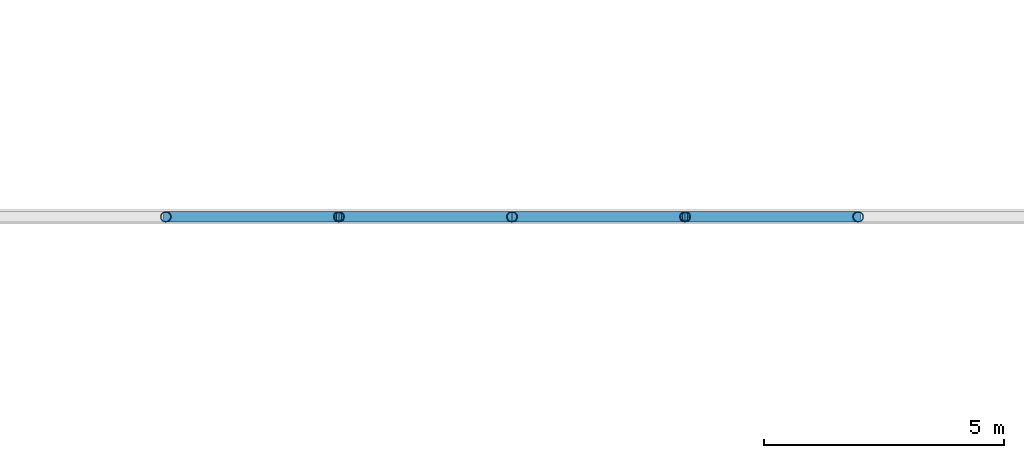
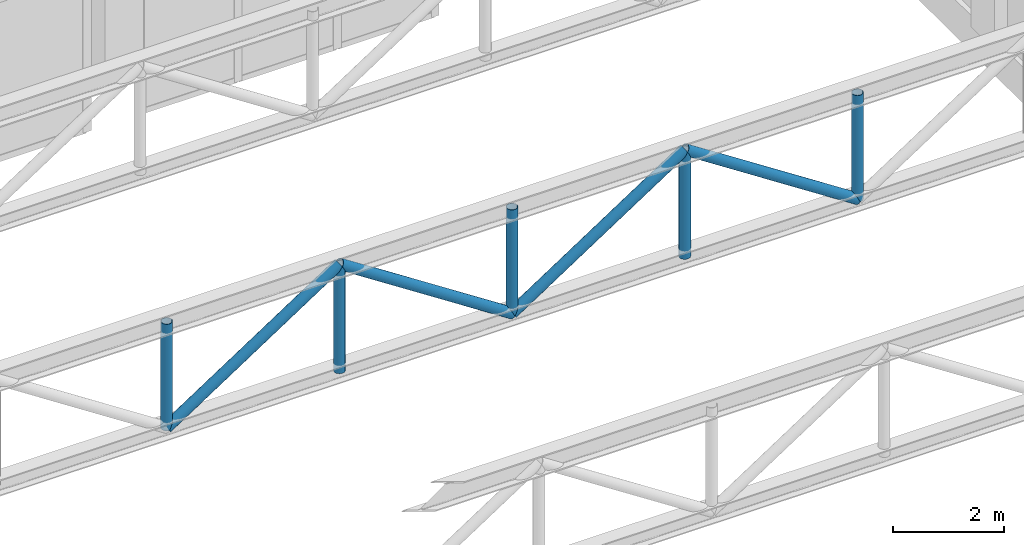
# One storey, part 97 of 153: 9 members.
"""IFC4 building model written with IfcOpenShell, lengths in metres."""

from ifc_helpers import new_model, si_unit, direction, frame, origin, origin_2d, place, context, subcontext, project, spatial, hollow_circle, extrude, material, material_profile, profile_set, type_object, element, save


model = new_model("IFC4")

# Units and contexts
model_context = context("Model", 3, precision=1e-05, world=origin(), true_north=direction((0.0, 1.0)))
body_context = subcontext(model_context, "Body", "Model", "MODEL_VIEW")
ifc_project = project(units=[si_unit("LENGTHUNIT", "METRE"), si_unit("AREAUNIT", "SQUARE_METRE"), si_unit("VOLUMEUNIT", "CUBIC_METRE"), si_unit("PLANEANGLEUNIT", "RADIAN"), si_unit("MASSUNIT", "GRAM", prefix="KILO")], contexts=[model_context])

# Site, building, storey
site_placement = place(None, origin())
site = spatial("IfcSite", under=ifc_project, at=site_placement, CompositionType="ELEMENT")
building_placement = place(site_placement, origin())
building = spatial("IfcBuilding", under=site, at=building_placement, Name="Qandorah Velis Arena", CompositionType="ELEMENT")
storey_placement = place(building_placement, frame((0.0, 0.0, 5.39990234375)))
storey = spatial("IfcBuildingStorey", under=building, at=storey_placement, Name="L01", CompositionType="ELEMENT", Elevation=5.39990234375)

# Members
ifc_material = material(Name="Steel S355", Category="steel")
ifc_material_profile = material_profile(ifc_material, hollow_circle(Radius=0.109619140625, WallThickness=0.010009765625, at=origin_2d()), Name="CHS 219.1x10")
ifc_profile_set = profile_set([ifc_material_profile], Name="Steel S355")
member_type = type_object("IfcMemberType", Name="STR-SFD-CHS219X10", PredefinedType="STRUT", material=ifc_profile_set)
member_1_placement = place(storey_placement, frame((144.0, 108.0, 3.205078125), z_axis=(0.0, 0.0, 1.0), x_axis=(1.0, 0.0, 0.0)))
element("IfcMember", 1, at=member_1_placement, inside=storey, type_object=member_type, Name="Practice court roof truss 3 vertical 7", PredefinedType="STRUT", context=body_context, shape_type="SweptSolid", body=[
    extrude(hollow_circle(Radius=0.109619140625, WallThickness=0.010009765625, at=origin_2d()), origin(), (0.0, 0.0, 1.0), 2.35009765625),
])
member_2_placement = place(storey_placement, frame((144.0, 108.0, 3.205078125), z_axis=(0.837375540217, 0.0, 0.546628031339), x_axis=(0.0, 1.0, 0.0)))
element("IfcMember", 2, at=member_2_placement, inside=storey, type_object=member_type, Name="Practice court roof truss 3 web diagonal 7", PredefinedType="STRUT", context=body_context, shape_type="SweptSolid", body=[
    extrude(hollow_circle(Radius=0.109619140625, WallThickness=0.010009765625, at=origin_2d()), origin(), (0.0, 0.0, 1.0), 4.29931640625),
])
member_3_placement = place(storey_placement, frame((147.60009765625, 108.0, 3.205078125), z_axis=(0.0, 0.0, 1.0), x_axis=(1.0, 0.0, 0.0)))
element("IfcMember", 3, at=member_3_placement, inside=storey, type_object=member_type, Name="Practice court roof truss 3 vertical 8", PredefinedType="STRUT", context=body_context, shape_type="SweptSolid", body=[
    extrude(hollow_circle(Radius=0.109619140625, WallThickness=0.010009765625, at=origin_2d()), origin(), (0.0, 0.0, 1.0), 2.35009765625),
])
member_4_placement = place(storey_placement, frame((147.60009765625, 108.0, 5.55517578125), z_axis=(0.837358571039, 0.0, -0.54665402542), x_axis=(0.0, 1.0, 0.0)))
element("IfcMember", 4, at=member_4_placement, inside=storey, type_object=member_type, Name="Practice court roof truss 3 web diagonal 8", PredefinedType="STRUT", context=body_context, shape_type="SweptSolid", body=[
    extrude(hollow_circle(Radius=0.109619140625, WallThickness=0.010009765625, at=origin_2d()), origin(), (0.0, 0.0, 1.0), 4.299072265625),
])
member_5_placement = place(storey_placement, frame((151.199951171875, 108.0, 3.205078125), z_axis=(0.0, 0.0, 1.0), x_axis=(1.0, 0.0, 0.0)))
element("IfcMember", 5, at=member_5_placement, inside=storey, type_object=member_type, Name="Practice court roof truss 3 vertical 9", PredefinedType="STRUT", context=body_context, shape_type="SweptSolid", body=[
    extrude(hollow_circle(Radius=0.109619140625, WallThickness=0.010009765625, at=origin_2d()), origin(), (0.0, 0.0, 1.0), 2.35009765625),
])
member_6_placement = place(storey_placement, frame((151.199951171875, 108.0, 3.205078125), z_axis=(0.837375540217, 0.0, 0.546628031339), x_axis=(0.0, 1.0, 0.0)))
element("IfcMember", 6, at=member_6_placement, inside=storey, type_object=member_type, Name="Practice court roof truss 3 web diagonal 9", PredefinedType="STRUT", context=body_context, shape_type="SweptSolid", body=[
    extrude(hollow_circle(Radius=0.109619140625, WallThickness=0.010009765625, at=origin_2d()), origin(), (0.0, 0.0, 1.0), 4.29931640625),
])
member_7_placement = place(storey_placement, frame((154.800048828125, 108.0, 3.205078125), z_axis=(0.0, 0.0, 1.0), x_axis=(1.0, 0.0, 0.0)))
element("IfcMember", 7, at=member_7_placement, inside=storey, type_object=member_type, Name="Practice court roof truss 3 vertical 10", PredefinedType="STRUT", context=body_context, shape_type="SweptSolid", body=[
    extrude(hollow_circle(Radius=0.109619140625, WallThickness=0.010009765625, at=origin_2d()), origin(), (0.0, 0.0, 1.0), 2.35009765625),
])
member_8_placement = place(storey_placement, frame((154.800048828125, 108.0, 5.55517578125), z_axis=(0.837358571039, 0.0, -0.54665402542), x_axis=(0.0, 1.0, 0.0)))
element("IfcMember", 8, at=member_8_placement, inside=storey, type_object=member_type, Name="Practice court roof truss 3 web diagonal 10", PredefinedType="STRUT", context=body_context, shape_type="SweptSolid", body=[
    extrude(hollow_circle(Radius=0.109619140625, WallThickness=0.010009765625, at=origin_2d()), origin(), (0.0, 0.0, 1.0), 4.299072265625),
])
member_9_placement = place(storey_placement, frame((158.39990234375, 108.0, 3.205078125), z_axis=(0.0, 0.0, 1.0), x_axis=(1.0, 0.0, 0.0)))
element("IfcMember", 9, at=member_9_placement, inside=storey, type_object=member_type, Name="Practice court roof truss 3 vertical 11", PredefinedType="STRUT", context=body_context, shape_type="SweptSolid", body=[
    extrude(hollow_circle(Radius=0.109619140625, WallThickness=0.010009765625, at=origin_2d()), origin(), (0.0, 0.0, 1.0), 2.35009765625),
])

save(model, "model.ifc")
